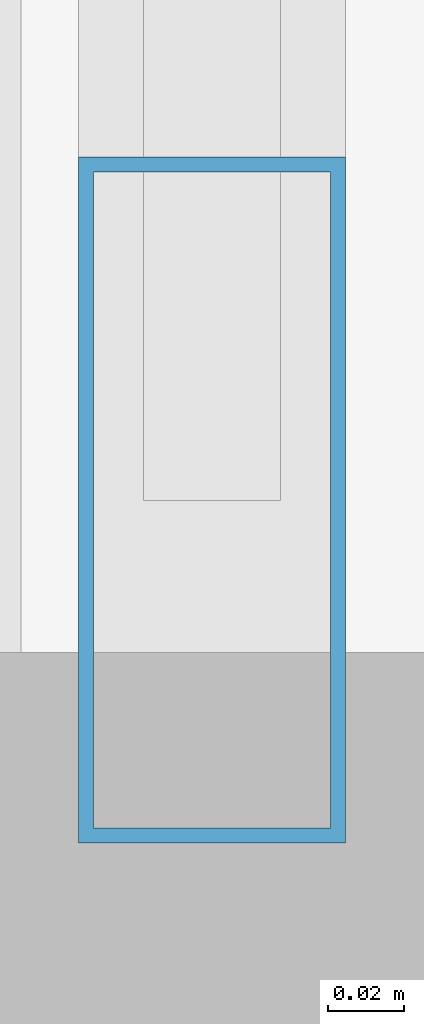
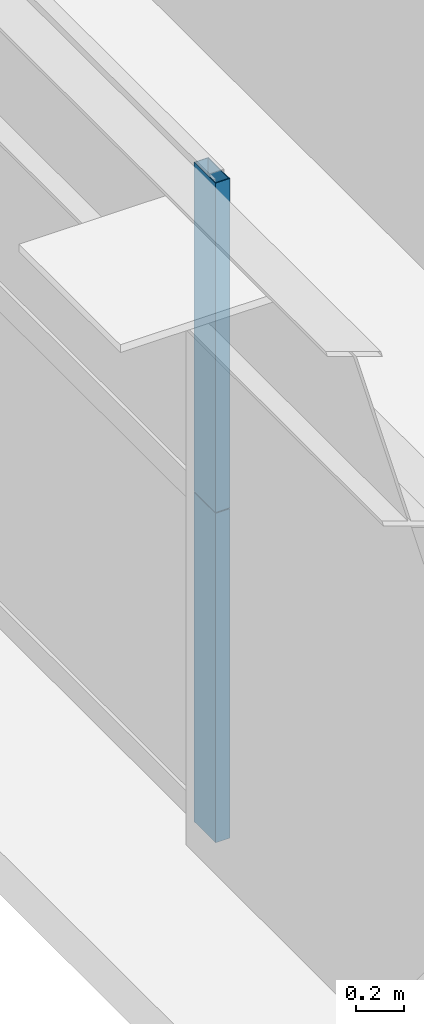
# One storey, part 6 of 43: 2 members, 1 element without a shape of its own.
"""IFC4 building model written with IfcOpenShell, lengths in metres."""

import ifcopenshell
import ifcopenshell.guid

model = None  # the IFC model being written
_history = None  # IfcOwnerHistory: only IFC2X3 demands one
_inside = {}  # id of a spatial element -> (the spatial element, [elements in it])
_under = {}  # id of a project, library or spatial element -> (it, [spatial elements below it])
_declared = {}  # id of a project -> (the project, [libraries it declares])
_typed = {}  # id of a type object -> (the type object, [elements of that type])
_made_of = {}  # id of a material, layer set ... -> (it, [elements and type objects made of it])


def new_model(schema):
    """Start an empty IFC model of exactly this schema.

    Asked for "IFC4X3", IfcOpenShell would pick the latest addendum, in which some entities
    have other attributes; the version numbers below select the first issue.
    IFC2X3 requires an IfcOwnerHistory on every rooted entity: one is made here for all.
    """
    global model, _history
    if schema == "IFC4X3":
        model = ifcopenshell.file(schema_version=(4, 3, 0, 0))
    else:
        model = ifcopenshell.file(schema=schema)
    _inside.clear()
    _under.clear()
    _declared.clear()
    _typed.clear()
    _made_of.clear()
    _history = None
    if model.schema == "IFC2X3":
        org = make("IfcOrganization", Name="unknown")
        user = make(
            "IfcPersonAndOrganization",
            ThePerson=make("IfcPerson", FamilyName="unknown"),
            TheOrganization=org,
        )
        app = make(
            "IfcApplication",
            ApplicationDeveloper=org,
            Version="unknown",
            ApplicationFullName="unknown",
            ApplicationIdentifier="unknown",
        )
        _history = make(
            "IfcOwnerHistory",
            OwningUser=user,
            OwningApplication=app,
            ChangeAction="ADDED",
            CreationDate=0,
        )
    return model


def make(cls, **values):
    """One entity of the class cls with the attributes given. An attribute that is None is left unset."""
    return model.create_entity(
        cls, **{name: value for name, value in values.items() if value is not None}
    )


def rooted(cls, **values):
    """An entity with a GlobalId (a new one), such as an element, a storey or a relation."""
    return make(cls, GlobalId=ifcopenshell.guid.new(), OwnerHistory=_history, **values)


def si_unit(unit_type, name, prefix=None):
    """IfcSIUnit, for example si_unit("LENGTHUNIT", "METRE", prefix="MILLI")."""
    return make("IfcSIUnit", UnitType=unit_type, Prefix=prefix, Name=name)


def assignment(units):
    """IfcUnitAssignment: the units of a project."""
    return None if units is None else make("IfcUnitAssignment", Units=units)


def point(xyz):
    """IfcCartesianPoint."""
    return None if xyz is None else make("IfcCartesianPoint", Coordinates=xyz)


def direction(xyz):
    """IfcDirection."""
    return None if xyz is None else make("IfcDirection", DirectionRatios=xyz)


def frame(location, z_axis=None, x_axis=None):
    """IfcAxis2Placement3D, a coordinate frame: its origin and axes. An axis left out is left unset."""
    return make(
        "IfcAxis2Placement3D",
        Location=point(location),
        Axis=direction(z_axis),
        RefDirection=direction(x_axis),
    )


def frame_2d(location, x_axis=None):
    """IfcAxis2Placement2D, a coordinate frame in the plane: its origin and x axis."""
    return make(
        "IfcAxis2Placement2D", Location=point(location), RefDirection=direction(x_axis)
    )


def origin():
    """The frame at (0, 0, 0) with its axes left unset."""
    return frame((0.0, 0.0, 0.0))


def origin_2d():
    """The frame at (0, 0) in the plane with its x axis left unset."""
    return frame_2d((0.0, 0.0))


def place(relative_to, where):
    """IfcLocalPlacement: puts the frame where relative to a parent placement (None: the world)."""
    return make(
        "IfcLocalPlacement", PlacementRelTo=relative_to, RelativePlacement=where
    )


def context(
    kind, dimensions, precision=None, world=None, true_north=None, identifier=None
):
    """IfcGeometricRepresentationContext, for example the 3D "Model" context."""
    return make(
        "IfcGeometricRepresentationContext",
        ContextIdentifier=identifier,
        ContextType=kind,
        CoordinateSpaceDimension=dimensions,
        Precision=precision,
        WorldCoordinateSystem=world,
        TrueNorth=true_north,
    )


def subcontext(parent, identifier, kind, view, scale=None):
    """IfcGeometricRepresentationSubContext, for example "Body" below "Model"."""
    return make(
        "IfcGeometricRepresentationSubContext",
        ContextIdentifier=identifier,
        ContextType=kind,
        ParentContext=parent,
        TargetScale=scale,
        TargetView=view,
    )


def project(units=None, contexts=None):
    """IfcProject with its units and contexts."""
    return rooted(
        "IfcProject",
        Name="project",
        RepresentationContexts=contexts,
        UnitsInContext=assignment(units),
    )


def spatial(cls, under=None, at=None, **own):
    """A site, building, storey or space (cls), placed at a placement, below another one or the project."""
    s = rooted(cls, ObjectPlacement=at, **own)
    if under is not None:
        _under.setdefault(under.id(), (under, []))[1].append(s)
    return s


def profile(cls, at=None, kind="AREA", **sizes):
    """A parametric profile (cls). Its sizes go by their IFC names, for example OverallWidth=200.0."""
    return make(cls, ProfileType=kind, Position=at, **sizes)


def hollow_rectangle(**sizes):
    """IfcRectangleHollowProfileDef."""
    return profile("IfcRectangleHollowProfileDef", **sizes)


def extrude(swept, where, along, depth):
    """IfcExtrudedAreaSolid: the profile swept, set in the frame where, extruded along a direction by depth."""
    return make(
        "IfcExtrudedAreaSolid",
        SweptArea=swept,
        Position=where,
        ExtrudedDirection=direction(along),
        Depth=depth,
    )


def shape(context_of_items, identifier, shape_type, items):
    """IfcShapeRepresentation: the items that make up one representation, for example the "Body"."""
    return make(
        "IfcShapeRepresentation",
        ContextOfItems=context_of_items,
        RepresentationIdentifier=identifier,
        RepresentationType=shape_type,
        Items=items,
    )


def source(mapping_origin, context_of_items, identifier, shape_type, items):
    """IfcRepresentationMap: a shape defined once, which mapped items show again and again."""
    return make(
        "IfcRepresentationMap",
        MappingOrigin=mapping_origin,
        MappedRepresentation=shape(context_of_items, identifier, shape_type, items),
    )


def transform(
    local_origin,
    x_axis=None,
    y_axis=None,
    z_axis=None,
    scale=None,
    scale2=None,
    scale3=None,
    uniform=True,
):
    """IfcCartesianTransformationOperator3D, or its non-uniform kind. x_axis, y_axis, z_axis: its Axis1, 2, 3."""
    if uniform:
        return make(
            "IfcCartesianTransformationOperator3D",
            Axis1=direction(x_axis),
            Axis2=direction(y_axis),
            LocalOrigin=point(local_origin),
            Scale=scale,
            Axis3=direction(z_axis),
        )
    return make(
        "IfcCartesianTransformationOperator3DnonUniform",
        Axis1=direction(x_axis),
        Axis2=direction(y_axis),
        LocalOrigin=point(local_origin),
        Scale=scale,
        Axis3=direction(z_axis),
        Scale2=scale2,
        Scale3=scale3,
    )


def mapped(mapping_source, mapping_target):
    """IfcMappedItem: shows the shape of a source again, moved by a transform."""
    return make(
        "IfcMappedItem", MappingSource=mapping_source, MappingTarget=mapping_target
    )


def material(Name=None, Category=None):
    """IfcMaterial."""
    return make("IfcMaterial", Name=Name, Category=Category)


def layer(
    of_material, thickness, ventilated=None, Name=None, Category=None, Priority=None
):
    """IfcMaterialLayer: one layer of a wall or slab, of a material (None: an air gap)."""
    return make(
        "IfcMaterialLayer",
        Material=of_material,
        LayerThickness=thickness,
        IsVentilated=ventilated,
        Name=Name,
        Category=Category,
        Priority=Priority,
    )


def layer_set(layers, Name=None):
    """IfcMaterialLayerSet."""
    return make("IfcMaterialLayerSet", MaterialLayers=layers, LayerSetName=Name)


def material_profile(
    of_material, cross_section, Name=None, Category=None, Priority=None
):
    """IfcMaterialProfile: a cross section and its material."""
    return make(
        "IfcMaterialProfile",
        Name=Name,
        Material=of_material,
        Profile=cross_section,
        Priority=Priority,
        Category=Category,
    )


def profile_set(profiles, Name=None, composite=None):
    """IfcMaterialProfileSet."""
    return make(
        "IfcMaterialProfileSet",
        Name=Name,
        MaterialProfiles=profiles,
        CompositeProfile=composite,
    )


def made_of(thing, what):
    """Note that an element or type object is made of a material, layer set ...; save() writes the relation."""
    if what is not None:
        _made_of.setdefault(what.id(), (what, []))[1].append(thing)
    return thing


def type_object(cls, material=None, **own):
    """A type object (cls), such as IfcWallType, which elements share."""
    return made_of(rooted(cls, **own), material)


def element(
    cls,
    number,
    at=None,
    inside=None,
    cuts=None,
    type_object=None,
    material=None,
    context=None,
    identifier="Body",
    shape_type=None,
    held_by="IfcProductDefinitionShape",
    body=None,
    shapes=None,
    **own,
):
    """One element of the class cls, such as IfcWall. Its Tag is "e" and its number.

    at: its placement. inside: the storey or other place that contains it. cuts: it is an
    opening in that element (IfcRelVoidsElement). A single representation is given by context,
    identifier, shape_type and body (its items); several are given by shapes. held_by: the class
    of the entity that holds the representations. save() writes the other relations.
    """
    e = rooted(cls, Tag="e%d" % number, ObjectPlacement=at, **own)
    if body is not None:
        shapes = [shape(context, identifier, shape_type, body)]
    if shapes is not None:
        e.Representation = make(held_by, Representations=shapes)
    if inside is not None:
        _inside.setdefault(inside.id(), (inside, []))[1].append(e)
    if cuts is not None:
        rooted(
            "IfcRelVoidsElement", RelatingBuildingElement=cuts, RelatedOpeningElement=e
        )
    if type_object is not None:
        _typed.setdefault(type_object.id(), (type_object, []))[1].append(e)
    return made_of(e, material)


def aggregate(whole, parts):
    """IfcRelAggregates: a whole, such as a stair, and the parts it consists of."""
    return rooted("IfcRelAggregates", RelatingObject=whole, RelatedObjects=parts)


def save(model, path):
    """Write the relations noted so far, then the file.

    IfcRelAggregates (storeys below a building ...), IfcRelContainedInSpatialStructure (elements
    in a storey), IfcRelDefinesByType, IfcRelAssociatesMaterial and IfcRelDeclares: one each for
    every whole, place, type object, material and project.
    """
    for whole, parts in _under.values():
        aggregate(whole, parts)
    for where, things in _inside.values():
        rooted(
            "IfcRelContainedInSpatialStructure",
            RelatedElements=things,
            RelatingStructure=where,
        )
    for kind, things in _typed.values():
        rooted("IfcRelDefinesByType", RelatedObjects=things, RelatingType=kind)
    for what, things in _made_of.values():
        rooted("IfcRelAssociatesMaterial", RelatedObjects=things, RelatingMaterial=what)
    for by, libraries in _declared.values():
        rooted("IfcRelDeclares", RelatingContext=by, RelatedDefinitions=libraries)
    model.write(path)


model = new_model("IFC4")

# Units and contexts
model_context = context("Model", 3, precision=1e-05, world=origin(), true_north=direction((0.0, 1.0)))
body_context = subcontext(model_context, "Body", "Model", "MODEL_VIEW")
ifc_project = project(units=[si_unit("LENGTHUNIT", "METRE"), si_unit("AREAUNIT", "SQUARE_METRE"), si_unit("VOLUMEUNIT", "CUBIC_METRE"), si_unit("PLANEANGLEUNIT", "RADIAN"), si_unit("MASSUNIT", "GRAM", prefix="KILO"), si_unit("THERMODYNAMICTEMPERATUREUNIT", "KELVIN"), si_unit("POWERUNIT", "WATT")], contexts=[model_context])

# Site, building, storey
site_placement = place(None, origin())
site = spatial("IfcSite", under=ifc_project, at=site_placement, CompositionType="ELEMENT")
building_placement = place(site_placement, origin())
building = spatial("IfcBuilding", under=site, at=building_placement, Name="Yuzanri Waterfront Tower", CompositionType="ELEMENT")
storey_placement = place(building_placement, frame((0.0, 0.0, 71.199951171875)))
storey = spatial("IfcBuildingStorey", under=building, at=storey_placement, Name="L18", CompositionType="ELEMENT", Elevation=71.199951171875)

# Curtain wall, members
ifc_material_1 = material(Name="Anodized Architectural Bronze", Category="metal")
ifc_layer = layer(ifc_material_1, 0.159912109375)
ifc_layer_set = layer_set([ifc_layer], Name="Anodized Architectural Bronze")
curtain_wall_type = type_object("IfcCurtainWallType", Name="Anodized Bronze Hotel Lower-Tier Recessed Unitized Curtain Wall 8100", PredefinedType="NOTDEFINED", material=ifc_layer_set)
curtain_wall_placement = place(storey_placement, origin())
curtain_wall = element("IfcCurtainWall", 1, at=curtain_wall_placement, inside=storey, type_object=curtain_wall_type, Name="L18 Curtain Wall CW-L18-WL", PredefinedType="NOTDEFINED")
ifc_material_2 = material(Name="Anodized Architectural Bronze", Category="metal")
ifc_material_profile = material_profile(ifc_material_2, hollow_rectangle(XDim=0.070068359375, YDim=0.179931640625, WallThickness=0.00390625, at=origin_2d()), Name="CWM 70x180")
ifc_profile_set = profile_set([ifc_material_profile], Name="Anodized Architectural Bronze")
member_type = type_object("IfcMemberType", Name="Anodized Bronze Standard Curtain-Wall Mullion 70x180", PredefinedType="MULLION", material=ifc_profile_set)
shared_shape = source(origin(), body_context, "Body", "SweptSolid", [
    extrude(hollow_rectangle(XDim=0.070068359375, YDim=0.179931640625, WallThickness=0.00390625, at=origin_2d()), origin(), (0.0, 0.0, 1.0), 1.68798828125),
])
member_1_placement = place(storey_placement, frame((12.050048828125, 8.090087890625, 0.0), z_axis=(0.0, 0.0, 1.0), x_axis=(1.0, 0.0, 0.0)))
member_1 = element("IfcMember", 2, at=member_1_placement, type_object=member_type, Name="CW-L18-WL Lower Mullion 00", PredefinedType="MULLION", context=body_context, shape_type="MappedRepresentation", body=[
    mapped(shared_shape, transform((0.0, 0.0, 0.0), scale=1.0)),
])
member_2_placement = place(storey_placement, frame((12.050048828125, 8.090087890625, 1.692138671875), z_axis=(0.0, 0.0, 1.0), x_axis=(1.0, 0.0, 0.0)))
member_2 = element("IfcMember", 3, at=member_2_placement, type_object=member_type, Name="CW-L18-WL Upper Mullion 00", PredefinedType="MULLION", context=body_context, shape_type="MappedRepresentation", body=[
    mapped(shared_shape, transform((0.0, 0.0, 0.0), scale=1.0)),
])
aggregate(curtain_wall, [member_1, member_2])

save(model, "model.ifc")
